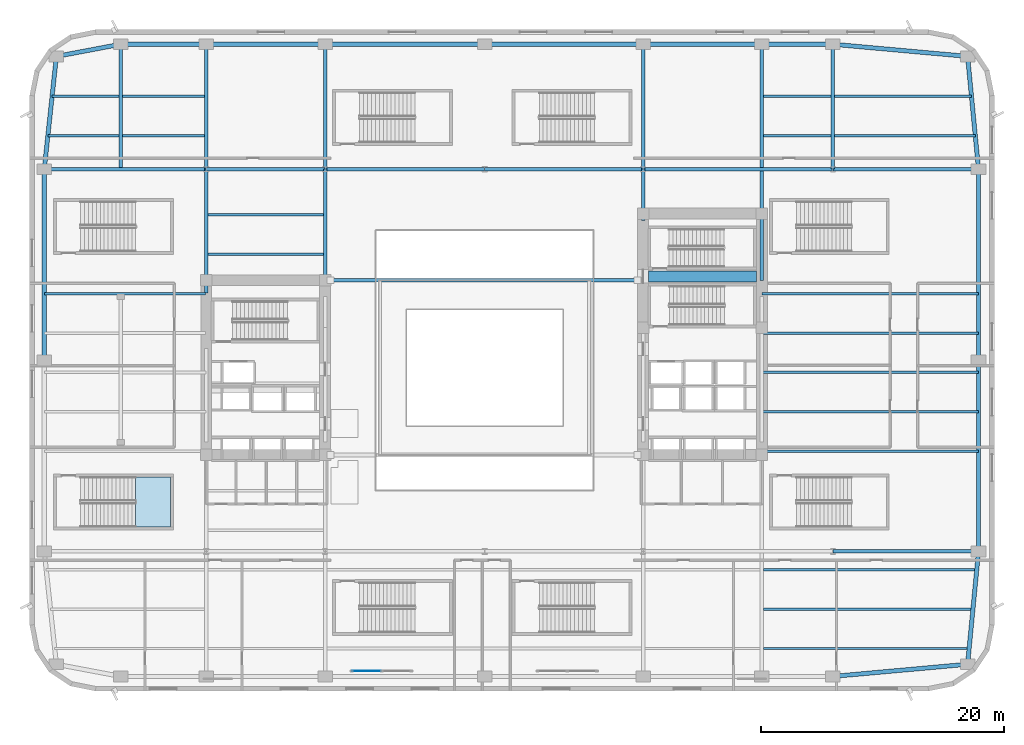
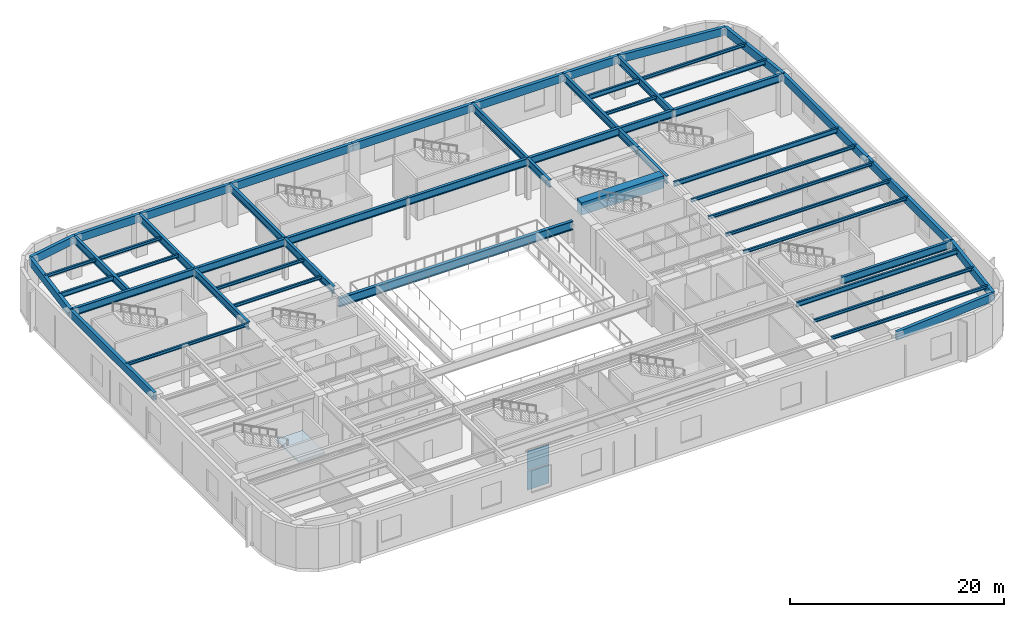
# One storey, part 4 of 22: 54 beams, 2 plates, 1 slab, 2 elements without a shape of their own.
"""IFC4 building model written with IfcOpenShell, lengths in metres."""

from ifc_helpers import new_model, si_unit, direction, frame, origin, origin_2d, place, context, subcontext, project, spatial, polyline, rectangle, hollow_rectangle, i_section, outline, extrude, material, layer, layer_set, material_profile, profile_set, type_object, element, aggregate, save


model = new_model("IFC4")

# Units and contexts
model_context = context("Model", 3, precision=1e-05, world=origin(), true_north=direction((0.0, 1.0)))
body_context = subcontext(model_context, "Body", "Model", "MODEL_VIEW")
ifc_project = project(units=[si_unit("LENGTHUNIT", "METRE"), si_unit("AREAUNIT", "SQUARE_METRE"), si_unit("VOLUMEUNIT", "CUBIC_METRE"), si_unit("PLANEANGLEUNIT", "RADIAN"), si_unit("MASSUNIT", "GRAM", prefix="KILO")], contexts=[model_context])

# Site, building, storey
site_placement = place(None, origin())
site = spatial("IfcSite", under=ifc_project, at=site_placement, CompositionType="ELEMENT")
building_placement = place(site_placement, origin())
building = spatial("IfcBuilding", under=site, at=building_placement, Name="Kolvaren Arena Tower", CompositionType="ELEMENT")
storey_placement = place(building_placement, frame((0.0, 0.0, 13.0)))
storey = spatial("IfcBuildingStorey", under=building, at=storey_placement, Name="L02", CompositionType="ELEMENT", Elevation=13.0)

# Beams
ifc_material_1 = material(Name="Steel CSA G40.21 350W", Category="steel")
ifc_material_profile_1 = material_profile(ifc_material_1, i_section(OverallWidth=0.2119140625, OverallDepth=0.54296875, WebThickness=0.01318359375, FlangeThickness=0.0244140625, FilletRadius=0.013916015625, at=origin_2d()), Name="W530x150")
ifc_profile_set_1 = profile_set([ifc_material_profile_1], Name="Steel CSA G40.21 350W")
beam_type_1 = type_object("IfcBeamType", Name="BEAM-F1", PredefinedType="BEAM", material=ifc_profile_set_1)
beam_1_placement = place(storey_placement, frame((60.49609375, 10.0, 4.37841796875), z_axis=(1.0, 0.0, 0.0), x_axis=(0.0, 1.0, 0.0)))
element("IfcBeam", 1, at=beam_1_placement, inside=storey, type_object=beam_type_1, Name="Composite Floor Beam (L02)", PredefinedType="BEAM", context=body_context, shape_type="SweptSolid", body=[
    extrude(i_section(OverallWidth=0.2119140625, OverallDepth=0.54296875, WebThickness=0.01318359375, FlangeThickness=0.0244140625, FilletRadius=0.013916015625, at=origin_2d()), origin(), (0.0, 0.0, 1.0), 17.55859375),
])
beam_2_placement = place(storey_placement, frame((60.3701171875, 32.75, 4.37841796875), z_axis=(1.0, 0.0, 0.0), x_axis=(0.0, 1.0, 0.0)))
element("IfcBeam", 2, at=beam_2_placement, inside=storey, type_object=beam_type_1, Name="Composite Floor Beam (L02)", PredefinedType="BEAM", context=body_context, shape_type="SweptSolid", body=[
    extrude(i_section(OverallWidth=0.2119140625, OverallDepth=0.54296875, WebThickness=0.01318359375, FlangeThickness=0.0244140625, FilletRadius=0.013916015625, at=origin_2d()), origin(), (0.0, 0.0, 1.0), 17.829833984375),
])
beam_3_placement = place(storey_placement, frame((1.49560546875, 45.75, 4.37841796875), z_axis=(1.0, 0.0, 0.0), x_axis=(0.0, 1.0, 0.0)))
element("IfcBeam", 3, at=beam_3_placement, inside=storey, type_object=beam_type_1, Name="Composite Floor Beam (L02)", PredefinedType="BEAM", context=body_context, shape_type="SweptSolid", body=[
    extrude(i_section(OverallWidth=0.2119140625, OverallDepth=0.54296875, WebThickness=0.01318359375, FlangeThickness=0.0244140625, FilletRadius=0.013916015625, at=origin_2d()), origin(), (0.0, 0.0, 1.0), 5.8583984375),
])
beam_4_placement = place(storey_placement, frame((66.345947265625, 45.75, 4.37841796875), z_axis=(1.0, 0.0, 0.0), x_axis=(0.0, 1.0, 0.0)))
element("IfcBeam", 4, at=beam_4_placement, inside=storey, type_object=beam_type_1, Name="Composite Floor Beam (L02)", PredefinedType="BEAM", context=body_context, shape_type="SweptSolid", body=[
    extrude(i_section(OverallWidth=0.2119140625, OverallDepth=0.54296875, WebThickness=0.01318359375, FlangeThickness=0.0244140625, FilletRadius=0.013916015625, at=origin_2d()), origin(), (0.0, 0.0, 1.0), 11.587890625),
])
beam_5_placement = place(storey_placement, frame((60.49609375, 49.0, 4.37841796875), z_axis=(1.0, 0.0, 0.0), x_axis=(0.0, 1.0, 0.0)))
element("IfcBeam", 5, at=beam_5_placement, inside=storey, type_object=beam_type_1, Name="Composite Floor Beam (L02)", PredefinedType="BEAM", context=body_context, shape_type="SweptSolid", body=[
    extrude(i_section(OverallWidth=0.2119140625, OverallDepth=0.54296875, WebThickness=0.01318359375, FlangeThickness=0.0244140625, FilletRadius=0.013916015625, at=origin_2d()), origin(), (0.0, 0.0, 1.0), 5.557861328125),
])
ifc_material_2 = material(Name="Concrete 75 MPa", Category="concrete")
ifc_material_profile_2 = material_profile(ifc_material_2, rectangle(XDim=0.89990234375, YDim=1.39990234375, at=origin_2d()), Name="RC-900x1400")
ifc_profile_set_2 = profile_set([ifc_material_profile_2], Name="Concrete 75 MPa")
beam_type_2 = type_object("IfcBeamType", Name="CB-CORE-1", PredefinedType="BEAM", material=ifc_profile_set_2)
beam_6_placement = place(storey_placement, frame((51.0, 34.14990234375, 4.219970703125), z_axis=(1.0, 0.0, 0.0), x_axis=(0.0, 1.0, 0.0)))
element("IfcBeam", 6, at=beam_6_placement, inside=storey, type_object=beam_type_2, Name="East Core Coupling Beam (L02)", PredefinedType="BEAM", context=body_context, shape_type="SweptSolid", body=[
    extrude(rectangle(XDim=0.89990234375, YDim=1.39990234375, at=origin_2d()), origin(), (0.0, 0.0, 1.0), 8.89990234375),
])
ifc_material_profile_3 = material_profile(ifc_material_1, i_section(OverallWidth=0.2919921875, OverallDepth=0.85498046875, WebThickness=0.02099609375, FlangeThickness=0.03564453125, FilletRadius=0.01806640625, at=origin_2d()), Name="W840x299")
ifc_profile_set_3 = profile_set([ifc_material_profile_3], Name="Steel CSA G40.21 350W")
beam_type_3 = type_object("IfcBeamType", Name="GIRD-P1", PredefinedType="BEAM", material=ifc_profile_set_3)
beam_7_placement = place(storey_placement, frame((66.199951171875, 11.5, 4.222412109375), z_axis=(1.0, 0.0, 0.0), x_axis=(0.0, 1.0, 0.0)))
element("IfcBeam", 7, at=beam_7_placement, inside=storey, type_object=beam_type_3, Name="Primary Floor Girder (L02)", PredefinedType="BEAM", context=body_context, shape_type="SweptSolid", body=[
    extrude(i_section(OverallWidth=0.2919921875, OverallDepth=0.85498046875, WebThickness=0.02099609375, FlangeThickness=0.03564453125, FilletRadius=0.01806640625, at=origin_2d()), origin(), (0.0, 0.0, 1.0), 12.0),
])
beam_8_placement = place(storey_placement, frame((1.199951171875, 43.0, 4.222412109375), z_axis=(1.0, 0.0, 0.0), x_axis=(0.0, 1.0, 0.0)))
element("IfcBeam", 8, at=beam_8_placement, inside=storey, type_object=beam_type_3, Name="Primary Floor Girder (L02)", PredefinedType="BEAM", context=body_context, shape_type="SweptSolid", body=[
    extrude(i_section(OverallWidth=0.2919921875, OverallDepth=0.85498046875, WebThickness=0.02099609375, FlangeThickness=0.03564453125, FilletRadius=0.01806640625, at=origin_2d()), origin(), (0.0, 0.0, 1.0), 13.35009765625),
])
beam_9_placement = place(storey_placement, frame((14.550048828125, 43.0, 4.222412109375), z_axis=(1.0, 0.0, 0.0), x_axis=(0.0, 1.0, 0.0)))
element("IfcBeam", 9, at=beam_9_placement, inside=storey, type_object=beam_type_3, Name="Primary Floor Girder (L02)", PredefinedType="BEAM", context=body_context, shape_type="SweptSolid", body=[
    extrude(i_section(OverallWidth=0.2919921875, OverallDepth=0.85498046875, WebThickness=0.02099609375, FlangeThickness=0.03564453125, FilletRadius=0.01806640625, at=origin_2d()), origin(), (0.0, 0.0, 1.0), 9.800048828125),
])
beam_10_placement = place(storey_placement, frame((24.35009765625, 43.0, 4.222412109375), z_axis=(1.0, 0.0, 0.0), x_axis=(0.0, 1.0, 0.0)))
element("IfcBeam", 10, at=beam_10_placement, inside=storey, type_object=beam_type_3, Name="Primary Floor Girder (L02)", PredefinedType="BEAM", context=body_context, shape_type="SweptSolid", body=[
    extrude(i_section(OverallWidth=0.2919921875, OverallDepth=0.85498046875, WebThickness=0.02099609375, FlangeThickness=0.03564453125, FilletRadius=0.01806640625, at=origin_2d()), origin(), (0.0, 0.0, 1.0), 13.14990234375),
])
beam_11_placement = place(storey_placement, frame((37.5, 43.0, 4.222412109375), z_axis=(1.0, 0.0, 0.0), x_axis=(0.0, 1.0, 0.0)))
element("IfcBeam", 11, at=beam_11_placement, inside=storey, type_object=beam_type_3, Name="Primary Floor Girder (L02)", PredefinedType="BEAM", context=body_context, shape_type="SweptSolid", body=[
    extrude(i_section(OverallWidth=0.2919921875, OverallDepth=0.85498046875, WebThickness=0.02099609375, FlangeThickness=0.03564453125, FilletRadius=0.01806640625, at=origin_2d()), origin(), (0.0, 0.0, 1.0), 13.050048828125),
])
beam_12_placement = place(storey_placement, frame((50.550048828125, 43.0, 4.222412109375), z_axis=(1.0, 0.0, 0.0), x_axis=(0.0, 1.0, 0.0)))
element("IfcBeam", 12, at=beam_12_placement, inside=storey, type_object=beam_type_3, Name="Primary Floor Girder (L02)", PredefinedType="BEAM", context=body_context, shape_type="SweptSolid", body=[
    extrude(i_section(OverallWidth=0.2919921875, OverallDepth=0.85498046875, WebThickness=0.02099609375, FlangeThickness=0.03564453125, FilletRadius=0.01806640625, at=origin_2d()), origin(), (0.0, 0.0, 1.0), 15.64990234375),
])
beam_13_placement = place(storey_placement, frame((66.199951171875, 43.0, 4.222412109375), z_axis=(1.0, 0.0, 0.0), x_axis=(0.0, 1.0, 0.0)))
element("IfcBeam", 13, at=beam_13_placement, inside=storey, type_object=beam_type_3, Name="Primary Floor Girder (L02)", PredefinedType="BEAM", context=body_context, shape_type="SweptSolid", body=[
    extrude(i_section(OverallWidth=0.2919921875, OverallDepth=0.85498046875, WebThickness=0.02099609375, FlangeThickness=0.03564453125, FilletRadius=0.01806640625, at=origin_2d()), origin(), (0.0, 0.0, 1.0), 12.0),
])
beam_14_placement = place(storey_placement, frame((7.5, 43.14599609375, 4.222412109375), z_axis=(0.0, 1.0, 0.0), x_axis=(-1.0, 0.0, 0.0)))
element("IfcBeam", 14, at=beam_14_placement, inside=storey, type_object=beam_type_3, Name="Primary Floor Girder (L02)", PredefinedType="BEAM", context=body_context, shape_type="SweptSolid", body=[
    extrude(i_section(OverallWidth=0.2919921875, OverallDepth=0.85498046875, WebThickness=0.02099609375, FlangeThickness=0.03564453125, FilletRadius=0.01806640625, at=origin_2d()), origin(), (0.0, 0.0, 1.0), 10.154052734375),
])
beam_15_placement = place(storey_placement, frame((14.550048828125, 32.7900390625, 4.222412109375), z_axis=(0.0, 1.0, 0.0), x_axis=(-1.0, 0.0, 0.0)))
element("IfcBeam", 15, at=beam_15_placement, inside=storey, type_object=beam_type_3, Name="Primary Floor Girder (L02)", PredefinedType="BEAM", context=body_context, shape_type="SweptSolid", body=[
    extrude(i_section(OverallWidth=0.2919921875, OverallDepth=0.85498046875, WebThickness=0.02099609375, FlangeThickness=0.03564453125, FilletRadius=0.01806640625, at=origin_2d()), origin(), (0.0, 0.0, 1.0), 10.2099609375),
])
beam_16_placement = place(storey_placement, frame((14.550048828125, 43.0, 4.222412109375), z_axis=(0.0, 1.0, 0.0), x_axis=(-1.0, 0.0, 0.0)))
element("IfcBeam", 16, at=beam_16_placement, inside=storey, type_object=beam_type_3, Name="Primary Floor Girder (L02)", PredefinedType="BEAM", context=body_context, shape_type="SweptSolid", body=[
    extrude(i_section(OverallWidth=0.2919921875, OverallDepth=0.85498046875, WebThickness=0.02099609375, FlangeThickness=0.03564453125, FilletRadius=0.01806640625, at=origin_2d()), origin(), (0.0, 0.0, 1.0), 10.300048828125),
])
beam_17_placement = place(storey_placement, frame((24.35009765625, 33.85009765625, 4.222412109375), z_axis=(0.0, 1.0, 0.0), x_axis=(-1.0, 0.0, 0.0)))
element("IfcBeam", 17, at=beam_17_placement, inside=storey, type_object=beam_type_3, Name="Primary Floor Girder (L02)", PredefinedType="BEAM", context=body_context, shape_type="SweptSolid", body=[
    extrude(i_section(OverallWidth=0.2919921875, OverallDepth=0.85498046875, WebThickness=0.02099609375, FlangeThickness=0.03564453125, FilletRadius=0.01806640625, at=origin_2d()), origin(), (0.0, 0.0, 1.0), 9.14990234375),
])
beam_18_placement = place(storey_placement, frame((24.35009765625, 43.0, 4.222412109375), z_axis=(0.0, 1.0, 0.0), x_axis=(-1.0, 0.0, 0.0)))
element("IfcBeam", 18, at=beam_18_placement, inside=storey, type_object=beam_type_3, Name="Primary Floor Girder (L02)", PredefinedType="BEAM", context=body_context, shape_type="SweptSolid", body=[
    extrude(i_section(OverallWidth=0.2919921875, OverallDepth=0.85498046875, WebThickness=0.02099609375, FlangeThickness=0.03564453125, FilletRadius=0.01806640625, at=origin_2d()), origin(), (0.0, 0.0, 1.0), 10.300048828125),
])
beam_19_placement = place(storey_placement, frame((50.550048828125, 38.760009765625, 4.222412109375), z_axis=(0.0, 1.0, 0.0), x_axis=(-1.0, 0.0, 0.0)))
element("IfcBeam", 19, at=beam_19_placement, inside=storey, type_object=beam_type_3, Name="Primary Floor Girder (L02)", PredefinedType="BEAM", context=body_context, shape_type="SweptSolid", body=[
    extrude(i_section(OverallWidth=0.2919921875, OverallDepth=0.85498046875, WebThickness=0.02099609375, FlangeThickness=0.03564453125, FilletRadius=0.01806640625, at=origin_2d()), origin(), (0.0, 0.0, 1.0), 4.239990234375),
])
beam_20_placement = place(storey_placement, frame((50.550048828125, 43.0, 4.222412109375), z_axis=(0.0, 1.0, 0.0), x_axis=(-1.0, 0.0, 0.0)))
element("IfcBeam", 20, at=beam_20_placement, inside=storey, type_object=beam_type_3, Name="Primary Floor Girder (L02)", PredefinedType="BEAM", context=body_context, shape_type="SweptSolid", body=[
    extrude(i_section(OverallWidth=0.2919921875, OverallDepth=0.85498046875, WebThickness=0.02099609375, FlangeThickness=0.03564453125, FilletRadius=0.01806640625, at=origin_2d()), origin(), (0.0, 0.0, 1.0), 10.300048828125),
])
beam_21_placement = place(storey_placement, frame((60.35009765625, 33.85009765625, 4.222412109375), z_axis=(0.0, 1.0, 0.0), x_axis=(-1.0, 0.0, 0.0)))
element("IfcBeam", 21, at=beam_21_placement, inside=storey, type_object=beam_type_3, Name="Primary Floor Girder (L02)", PredefinedType="BEAM", context=body_context, shape_type="SweptSolid", body=[
    extrude(i_section(OverallWidth=0.2919921875, OverallDepth=0.85498046875, WebThickness=0.02099609375, FlangeThickness=0.03564453125, FilletRadius=0.01806640625, at=origin_2d()), origin(), (0.0, 0.0, 1.0), 5.5),
])
beam_22_placement = place(storey_placement, frame((60.35009765625, 39.35009765625, 4.222412109375), z_axis=(0.0, 1.0, 0.0), x_axis=(-1.0, 0.0, 0.0)))
element("IfcBeam", 22, at=beam_22_placement, inside=storey, type_object=beam_type_3, Name="Primary Floor Girder (L02)", PredefinedType="BEAM", context=body_context, shape_type="SweptSolid", body=[
    extrude(i_section(OverallWidth=0.2919921875, OverallDepth=0.85498046875, WebThickness=0.02099609375, FlangeThickness=0.03564453125, FilletRadius=0.01806640625, at=origin_2d()), origin(), (0.0, 0.0, 1.0), 3.50390625),
])
beam_23_placement = place(storey_placement, frame((60.35009765625, 43.14599609375, 4.222412109375), z_axis=(0.0, 1.0, 0.0), x_axis=(-1.0, 0.0, 0.0)))
element("IfcBeam", 23, at=beam_23_placement, inside=storey, type_object=beam_type_3, Name="Primary Floor Girder (L02)", PredefinedType="BEAM", context=body_context, shape_type="SweptSolid", body=[
    extrude(i_section(OverallWidth=0.2919921875, OverallDepth=0.85498046875, WebThickness=0.02099609375, FlangeThickness=0.03564453125, FilletRadius=0.01806640625, at=origin_2d()), origin(), (0.0, 0.0, 1.0), 10.154052734375),
])
beam_24_placement = place(storey_placement, frame((66.199951171875, 43.0, 4.222412109375), z_axis=(0.0, 1.0, 0.0), x_axis=(-1.0, 0.0, 0.0)))
element("IfcBeam", 24, at=beam_24_placement, inside=storey, type_object=beam_type_3, Name="Primary Floor Girder (L02)", PredefinedType="BEAM", context=body_context, shape_type="SweptSolid", body=[
    extrude(i_section(OverallWidth=0.2919921875, OverallDepth=0.85498046875, WebThickness=0.02099609375, FlangeThickness=0.03564453125, FilletRadius=0.01806640625, at=origin_2d()), origin(), (0.0, 0.0, 1.0), 10.300048828125),
])
ifc_material_profile_4 = material_profile(ifc_material_1, i_section(OverallWidth=0.202880859375, OverallDepth=0.346923828125, WebThickness=0.0078125, FlangeThickness=0.013427734375, FilletRadius=0.010986328125, at=origin_2d()), Name="W360x64")
ifc_profile_set_4 = profile_set([ifc_material_profile_4], Name="Steel CSA G40.21 350W")
beam_type_4 = type_object("IfcBeamType", Name="JOIST-01", PredefinedType="JOIST", material=ifc_profile_set_4)
beam_25_placement = place(storey_placement, frame((60.49609375, 3.5, 4.4765625), z_axis=(1.0, 0.0, 0.0), x_axis=(0.0, 1.0, 0.0)))
element("IfcBeam", 25, at=beam_25_placement, inside=storey, type_object=beam_type_4, Name="Composite Floor Joist (L02)", PredefinedType="JOIST", context=body_context, shape_type="SweptSolid", body=[
    extrude(i_section(OverallWidth=0.202880859375, OverallDepth=0.346923828125, WebThickness=0.0078125, FlangeThickness=0.013427734375, FilletRadius=0.010986328125, at=origin_2d()), origin(), (0.0, 0.0, 1.0), 16.9296875),
])
beam_26_placement = place(storey_placement, frame((60.49609375, 6.75, 4.4765625), z_axis=(1.0, 0.0, 0.0), x_axis=(0.0, 1.0, 0.0)))
element("IfcBeam", 26, at=beam_26_placement, inside=storey, type_object=beam_type_4, Name="Composite Floor Joist (L02)", PredefinedType="JOIST", context=body_context, shape_type="SweptSolid", body=[
    extrude(i_section(OverallWidth=0.202880859375, OverallDepth=0.346923828125, WebThickness=0.0078125, FlangeThickness=0.013427734375, FilletRadius=0.010986328125, at=origin_2d()), origin(), (0.0, 0.0, 1.0), 17.244140625),
])
for number, where, z_axis, x_axis, name in (
    (27, (60.3701171875, 19.75, 4.4765625), (1.0, 0.0, 0.0), (0.0, 1.0, 0.0), "Composite Floor Joist (L02)"),
    (28, (60.3701171875, 23.0, 4.4765625), (1.0, 0.0, 0.0), (0.0, 1.0, 0.0), "Composite Floor Joist (L02)"),
    (29, (60.3701171875, 26.25, 4.4765625), (1.0, 0.0, 0.0), (0.0, 1.0, 0.0), "Composite Floor Joist (L02)"),
    (30, (60.3701171875, 29.5, 4.4765625), (1.0, 0.0, 0.0), (0.0, 1.0, 0.0), "Composite Floor Joist (L02)"),
):
    element("IfcBeam", number, at=place(storey_placement, frame(where, z_axis=z_axis, x_axis=x_axis)), inside=storey, type_object=beam_type_4, Name=name, PredefinedType="JOIST", context=body_context, shape_type="SweptSolid", body=[
        extrude(i_section(OverallWidth=0.202880859375, OverallDepth=0.346923828125, WebThickness=0.0078125, FlangeThickness=0.013427734375, FilletRadius=0.010986328125, at=origin_2d()), origin(), (0.0, 0.0, 1.0), 17.829833984375),
    ])
beam_27_placement = place(storey_placement, frame((1.199951171875, 32.75, 4.4765625), z_axis=(1.0, 0.0, 0.0), x_axis=(0.0, 1.0, 0.0)))
element("IfcBeam", 31, at=beam_27_placement, inside=storey, type_object=beam_type_4, Name="Composite Floor Joist (L02)", PredefinedType="JOIST", context=body_context, shape_type="SweptSolid", body=[
    extrude(i_section(OverallWidth=0.202880859375, OverallDepth=0.346923828125, WebThickness=0.0078125, FlangeThickness=0.013427734375, FilletRadius=0.010986328125, at=origin_2d()), origin(), (0.0, 0.0, 1.0), 13.280029296875),
])
for number, where, z_axis, x_axis, name in (
    (32, (14.696044921875, 36.0, 4.4765625), (1.0, 0.0, 0.0), (0.0, 1.0, 0.0), "Composite Floor Joist (L02)"),
    (33, (14.696044921875, 39.25, 4.4765625), (1.0, 0.0, 0.0), (0.0, 1.0, 0.0), "Composite Floor Joist (L02)"),
):
    element("IfcBeam", number, at=place(storey_placement, frame(where, z_axis=z_axis, x_axis=x_axis)), inside=storey, type_object=beam_type_4, Name=name, PredefinedType="JOIST", context=body_context, shape_type="SweptSolid", body=[
        extrude(i_section(OverallWidth=0.202880859375, OverallDepth=0.346923828125, WebThickness=0.0078125, FlangeThickness=0.013427734375, FilletRadius=0.010986328125, at=origin_2d()), origin(), (0.0, 0.0, 1.0), 9.508056640625),
    ])
beam_28_placement = place(storey_placement, frame((7.64599609375, 45.75, 4.4765625), z_axis=(1.0, 0.0, 0.0), x_axis=(0.0, 1.0, 0.0)))
element("IfcBeam", 34, at=beam_28_placement, inside=storey, type_object=beam_type_4, Name="Composite Floor Joist (L02)", PredefinedType="JOIST", context=body_context, shape_type="SweptSolid", body=[
    extrude(i_section(OverallWidth=0.202880859375, OverallDepth=0.346923828125, WebThickness=0.0078125, FlangeThickness=0.013427734375, FilletRadius=0.010986328125, at=origin_2d()), origin(), (0.0, 0.0, 1.0), 6.758056640625),
])
beam_29_placement = place(storey_placement, frame((60.49609375, 45.75, 4.4765625), z_axis=(1.0, 0.0, 0.0), x_axis=(0.0, 1.0, 0.0)))
element("IfcBeam", 35, at=beam_29_placement, inside=storey, type_object=beam_type_4, Name="Composite Floor Joist (L02)", PredefinedType="JOIST", context=body_context, shape_type="SweptSolid", body=[
    extrude(i_section(OverallWidth=0.202880859375, OverallDepth=0.346923828125, WebThickness=0.0078125, FlangeThickness=0.013427734375, FilletRadius=0.010986328125, at=origin_2d()), origin(), (0.0, 0.0, 1.0), 5.557861328125),
])
beam_30_placement = place(storey_placement, frame((1.84521484375, 49.0, 4.4765625), z_axis=(1.0, 0.0, 0.0), x_axis=(0.0, 1.0, 0.0)))
element("IfcBeam", 36, at=beam_30_placement, inside=storey, type_object=beam_type_4, Name="Composite Floor Joist (L02)", PredefinedType="JOIST", context=body_context, shape_type="SweptSolid", body=[
    extrude(i_section(OverallWidth=0.202880859375, OverallDepth=0.346923828125, WebThickness=0.0078125, FlangeThickness=0.013427734375, FilletRadius=0.010986328125, at=origin_2d()), origin(), (0.0, 0.0, 1.0), 5.5087890625),
])
beam_31_placement = place(storey_placement, frame((7.64599609375, 49.0, 4.4765625), z_axis=(1.0, 0.0, 0.0), x_axis=(0.0, 1.0, 0.0)))
element("IfcBeam", 37, at=beam_31_placement, inside=storey, type_object=beam_type_4, Name="Composite Floor Joist (L02)", PredefinedType="JOIST", context=body_context, shape_type="SweptSolid", body=[
    extrude(i_section(OverallWidth=0.202880859375, OverallDepth=0.346923828125, WebThickness=0.0078125, FlangeThickness=0.013427734375, FilletRadius=0.010986328125, at=origin_2d()), origin(), (0.0, 0.0, 1.0), 6.758056640625),
])
beam_32_placement = place(storey_placement, frame((66.345947265625, 49.0, 4.4765625), z_axis=(1.0, 0.0, 0.0), x_axis=(0.0, 1.0, 0.0)))
element("IfcBeam", 38, at=beam_32_placement, inside=storey, type_object=beam_type_4, Name="Composite Floor Joist (L02)", PredefinedType="JOIST", context=body_context, shape_type="SweptSolid", body=[
    extrude(i_section(OverallWidth=0.202880859375, OverallDepth=0.346923828125, WebThickness=0.0078125, FlangeThickness=0.013427734375, FilletRadius=0.010986328125, at=origin_2d()), origin(), (0.0, 0.0, 1.0), 11.2734375),
])
ifc_material_profile_5 = material_profile(ifc_material_1, i_section(OverallWidth=0.323974609375, OverallDepth=1.011962890625, WebThickness=0.02685546875, FlangeThickness=0.0458984375, FilletRadius=0.02197265625, at=origin_2d()), Name="W1000x443")
ifc_profile_set_5 = profile_set([ifc_material_profile_5], Name="Steel CSA G40.21 350W")
beam_type_5 = type_object("IfcBeamType", Name="RAKER-01", PredefinedType="USERDEFINED", material=ifc_profile_set_5)
beam_33_placement = place(storey_placement, frame((24.800048828125, 33.85009765625, 2.68408203125), z_axis=(1.0, 0.0, 0.0), x_axis=(0.0, 1.0, 0.0)))
element("IfcBeam", 39, at=beam_33_placement, inside=storey, type_object=beam_type_5, Name="Arena Bowl Raker Girder (L02 N)", ObjectType="RAKER GIRDER", PredefinedType="USERDEFINED", context=body_context, shape_type="SweptSolid", body=[
    extrude(i_section(OverallWidth=0.323974609375, OverallDepth=1.011962890625, WebThickness=0.02685546875, FlangeThickness=0.0458984375, FilletRadius=0.02197265625, at=origin_2d()), origin(), (0.0, 0.0, 1.0), 25.300048828125),
])
ifc_material_3 = material(Name="Steel CSA G40.21 350WT", Category="steel")
ifc_material_profile_6 = material_profile(ifc_material_3, hollow_rectangle(XDim=0.35009765625, YDim=0.89990234375, WallThickness=0.02001953125, at=origin_2d()), Name="HSS 900x350x20")
ifc_profile_set_6 = profile_set([ifc_material_profile_6], Name="Steel CSA G40.21 350WT")
beam_type_6 = type_object("IfcBeamType", Name="SPAND-01", PredefinedType="SPANDREL", material=ifc_profile_set_6)
beam_34_placement = place(storey_placement, frame((66.199951171875, 1.199951171875, 4.199951171875), z_axis=(0.995966494892, 0.089725921855, 0.0), x_axis=(-0.089725921855, 0.995966494892, 0.0)))
element("IfcBeam", 40, at=beam_34_placement, inside=storey, type_object=beam_type_6, Name="Perimeter Spandrel Beam (L02)", PredefinedType="SPANDREL", context=body_context, shape_type="SweptSolid", body=[
    extrude(hollow_rectangle(XDim=0.35009765625, YDim=0.89990234375, WallThickness=0.02001953125, at=origin_2d()), origin(), (0.0, 0.0, 1.0), 11.14501953125),
])
beam_35_placement = place(storey_placement, frame((77.300048828125, 2.199951171875, 4.199951171875), z_axis=(0.09631333899, 0.995351064064, 0.0), x_axis=(-0.995351064064, 0.09631333899, 0.0)))
element("IfcBeam", 41, at=beam_35_placement, inside=storey, type_object=beam_type_6, Name="Perimeter Spandrel Beam (L02)", PredefinedType="SPANDREL", context=body_context, shape_type="SweptSolid", body=[
    extrude(hollow_rectangle(XDim=0.35009765625, YDim=0.89990234375, WallThickness=0.02001953125, at=origin_2d()), origin(), (0.0, 0.0, 1.0), 9.343505859375),
])
for number, where, z_axis, x_axis, name in (
    (42, (78.199951171875, 11.5, 4.199951171875), (0.0, 1.0, 0.0), (-1.0, 0.0, 0.0), "Perimeter Spandrel Beam (L02)"),
    (43, (78.199951171875, 27.25, 4.199951171875), (0.0, 1.0, 0.0), (-1.0, 0.0, 0.0), "Perimeter Spandrel Beam (L02)"),
):
    element("IfcBeam", number, at=place(storey_placement, frame(where, z_axis=z_axis, x_axis=x_axis)), inside=storey, type_object=beam_type_6, Name=name, PredefinedType="SPANDREL", context=body_context, shape_type="SweptSolid", body=[
        extrude(hollow_rectangle(XDim=0.35009765625, YDim=0.89990234375, WallThickness=0.02001953125, at=origin_2d()), origin(), (0.0, 0.0, 1.0), 15.75),
    ])
beam_36_placement = place(storey_placement, frame((78.199951171875, 43.0, 4.199951171875), z_axis=(-0.09631333899, 0.995351064064, 0.0), x_axis=(-0.995351064064, -0.09631333899, 0.0)))
element("IfcBeam", 44, at=beam_36_placement, inside=storey, type_object=beam_type_6, Name="Perimeter Spandrel Beam (L02)", PredefinedType="SPANDREL", context=body_context, shape_type="SweptSolid", body=[
    extrude(hollow_rectangle(XDim=0.35009765625, YDim=0.89990234375, WallThickness=0.02001953125, at=origin_2d()), origin(), (0.0, 0.0, 1.0), 9.343505859375),
])
beam_37_placement = place(storey_placement, frame((77.300048828125, 52.300048828125, 4.199951171875), z_axis=(-0.995966494892, 0.089725921855, 0.0), x_axis=(-0.089725921855, -0.995966494892, 0.0)))
element("IfcBeam", 45, at=beam_37_placement, inside=storey, type_object=beam_type_6, Name="Perimeter Spandrel Beam (L02)", PredefinedType="SPANDREL", context=body_context, shape_type="SweptSolid", body=[
    extrude(hollow_rectangle(XDim=0.35009765625, YDim=0.89990234375, WallThickness=0.02001953125, at=origin_2d()), origin(), (0.0, 0.0, 1.0), 11.14501953125),
])
beam_38_placement = place(storey_placement, frame((66.199951171875, 53.300048828125, 4.199951171875), z_axis=(-1.0, 0.0, 0.0), x_axis=(0.0, -1.0, 0.0)))
element("IfcBeam", 46, at=beam_38_placement, inside=storey, type_object=beam_type_6, Name="Perimeter Spandrel Beam (L02)", PredefinedType="SPANDREL", context=body_context, shape_type="SweptSolid", body=[
    extrude(hollow_rectangle(XDim=0.35009765625, YDim=0.89990234375, WallThickness=0.02001953125, at=origin_2d()), origin(), (0.0, 0.0, 1.0), 5.849853515625),
])
beam_39_placement = place(storey_placement, frame((60.35009765625, 53.300048828125, 4.199951171875), z_axis=(-1.0, 0.0, 0.0), x_axis=(0.0, -1.0, 0.0)))
element("IfcBeam", 47, at=beam_39_placement, inside=storey, type_object=beam_type_6, Name="Perimeter Spandrel Beam (L02)", PredefinedType="SPANDREL", context=body_context, shape_type="SweptSolid", body=[
    extrude(hollow_rectangle(XDim=0.35009765625, YDim=0.89990234375, WallThickness=0.02001953125, at=origin_2d()), origin(), (0.0, 0.0, 1.0), 9.800048828125),
])
beam_40_placement = place(storey_placement, frame((50.550048828125, 53.300048828125, 4.199951171875), z_axis=(-1.0, 0.0, 0.0), x_axis=(0.0, -1.0, 0.0)))
element("IfcBeam", 48, at=beam_40_placement, inside=storey, type_object=beam_type_6, Name="Perimeter Spandrel Beam (L02)", PredefinedType="SPANDREL", context=body_context, shape_type="SweptSolid", body=[
    extrude(hollow_rectangle(XDim=0.35009765625, YDim=0.89990234375, WallThickness=0.02001953125, at=origin_2d()), origin(), (0.0, 0.0, 1.0), 13.050048828125),
])
beam_41_placement = place(storey_placement, frame((37.5, 53.300048828125, 4.199951171875), z_axis=(-1.0, 0.0, 0.0), x_axis=(0.0, -1.0, 0.0)))
element("IfcBeam", 49, at=beam_41_placement, inside=storey, type_object=beam_type_6, Name="Perimeter Spandrel Beam (L02)", PredefinedType="SPANDREL", context=body_context, shape_type="SweptSolid", body=[
    extrude(hollow_rectangle(XDim=0.35009765625, YDim=0.89990234375, WallThickness=0.02001953125, at=origin_2d()), origin(), (0.0, 0.0, 1.0), 13.14990234375),
])
beam_42_placement = place(storey_placement, frame((24.35009765625, 53.300048828125, 4.199951171875), z_axis=(-1.0, 0.0, 0.0), x_axis=(0.0, -1.0, 0.0)))
element("IfcBeam", 50, at=beam_42_placement, inside=storey, type_object=beam_type_6, Name="Perimeter Spandrel Beam (L02)", PredefinedType="SPANDREL", context=body_context, shape_type="SweptSolid", body=[
    extrude(hollow_rectangle(XDim=0.35009765625, YDim=0.89990234375, WallThickness=0.02001953125, at=origin_2d()), origin(), (0.0, 0.0, 1.0), 9.800048828125),
])
beam_43_placement = place(storey_placement, frame((14.550048828125, 53.300048828125, 4.199951171875), z_axis=(-1.0, 0.0, 0.0), x_axis=(0.0, -1.0, 0.0)))
element("IfcBeam", 51, at=beam_43_placement, inside=storey, type_object=beam_type_6, Name="Perimeter Spandrel Beam (L02)", PredefinedType="SPANDREL", context=body_context, shape_type="SweptSolid", body=[
    extrude(hollow_rectangle(XDim=0.35009765625, YDim=0.89990234375, WallThickness=0.02001953125, at=origin_2d()), origin(), (0.0, 0.0, 1.0), 7.050048828125),
])
beam_44_placement = place(storey_placement, frame((7.5, 53.300048828125, 4.199951171875), z_axis=(-0.982661964955, -0.185406209796, 0.0), x_axis=(0.185406209796, -0.982661964955, 0.0)))
element("IfcBeam", 52, at=beam_44_placement, inside=storey, type_object=beam_type_6, Name="Perimeter Spandrel Beam (L02)", PredefinedType="SPANDREL", context=body_context, shape_type="SweptSolid", body=[
    extrude(hollow_rectangle(XDim=0.35009765625, YDim=0.89990234375, WallThickness=0.02001953125, at=origin_2d()), origin(), (0.0, 0.0, 1.0), 5.3935546875),
])
beam_45_placement = place(storey_placement, frame((2.199951171875, 52.300048828125, 4.199951171875), z_axis=(-0.106910051219, -0.994268696555, 0.0), x_axis=(0.994268696555, -0.106910051219, 0.0)))
element("IfcBeam", 53, at=beam_45_placement, inside=storey, type_object=beam_type_6, Name="Perimeter Spandrel Beam (L02)", PredefinedType="SPANDREL", context=body_context, shape_type="SweptSolid", body=[
    extrude(hollow_rectangle(XDim=0.35009765625, YDim=0.89990234375, WallThickness=0.02001953125, at=origin_2d()), origin(), (0.0, 0.0, 1.0), 9.353759765625),
])
beam_46_placement = place(storey_placement, frame((1.199951171875, 43.0, 4.199951171875), z_axis=(0.0, -1.0, 0.0), x_axis=(1.0, 0.0, 0.0)))
element("IfcBeam", 54, at=beam_46_placement, inside=storey, type_object=beam_type_6, Name="Perimeter Spandrel Beam (L02)", PredefinedType="SPANDREL", context=body_context, shape_type="SweptSolid", body=[
    extrude(hollow_rectangle(XDim=0.35009765625, YDim=0.89990234375, WallThickness=0.02001953125, at=origin_2d()), origin(), (0.0, 0.0, 1.0), 15.75),
])

# Curtain wall, plates
ifc_material_4 = material(Name="Anodised aluminium unitised curtain wall", Category="aluminium")
curtain_wall_type = type_object("IfcCurtainWallType", Name="CW-SYS-02", PredefinedType="USERDEFINED", material=ifc_material_4)
curtain_wall_placement = place(storey_placement, origin())
curtain_wall = element("IfcCurtainWall", 55, at=curtain_wall_placement, inside=storey, type_object=curtain_wall_type, Name="Arena Concourse Grand Portal Curtain Wall (L02)", ObjectType="UNITISED CURTAIN WALL", PredefinedType="USERDEFINED")
ifc_material_5 = material(Name="Laminated acoustic low-E glazing unit", Category="glass")
ifc_layer_1 = layer(ifc_material_5, 0.052001953125)
ifc_layer_set_1 = layer_set([ifc_layer_1], Name="Laminated acoustic low-E glazing unit")
plate_type = type_object("IfcPlateType", Name="CWP-VIS2", PredefinedType="CURTAIN_PANEL", material=ifc_layer_set_1)
plate_1_placement = place(storey_placement, frame((27.77490234375, 1.64990234375, 0.10009765625), z_axis=(0.0, 0.0, 1.0), x_axis=(1.0, 0.0, 0.0)))
plate_1 = element("IfcPlate", 56, at=plate_1_placement, type_object=plate_type, Name="CW2 panel 1.1", PredefinedType="CURTAIN_PANEL", context=body_context, shape_type="SweptSolid", body=[
    extrude(rectangle(XDim=2.35009765625, YDim=0.052001953125, at=origin_2d()), origin(), (0.0, 0.0, 1.0), 2.175048828125),
])
plate_2_placement = place(storey_placement, frame((27.77490234375, 1.64990234375, 2.375), z_axis=(0.0, 0.0, 1.0), x_axis=(1.0, 0.0, 0.0)))
plate_2 = element("IfcPlate", 57, at=plate_2_placement, type_object=plate_type, Name="CW2 panel 1.2", PredefinedType="CURTAIN_PANEL", context=body_context, shape_type="SweptSolid", body=[
    extrude(rectangle(XDim=2.35009765625, YDim=0.052001953125, at=origin_2d()), origin(), (0.0, 0.0, 1.0), 2.175048828125),
])
aggregate(curtain_wall, [plate_1, plate_2])

# Stair, slab
ifc_material_6 = material(Name="Concrete 45 MPa", Category="concrete")
stair_type = type_object("IfcStairType", Name="STAIR-ARENA-220", PredefinedType="HALF_TURN_STAIR", material=ifc_material_6)
stair_placement = place(storey_placement, origin())
stair = element("IfcStair", 58, at=stair_placement, inside=storey, type_object=stair_type, Name="L02 ST-A1", PredefinedType="HALF_TURN_STAIR")
ifc_layer_2 = layer(ifc_material_6, 0.199951171875)
ifc_layer_set_2 = layer_set([ifc_layer_2], Name="Concrete 45 MPa")
slab_type = type_object("IfcSlabType", Name="SLAB-LAND", PredefinedType="LANDING", material=ifc_layer_set_2)
slab_placement = place(storey_placement, frame((0.0, 0.0, 2.300048828125)))
slab = element("IfcSlab", 59, at=slab_placement, type_object=slab_type, Name="ST-A1 landing 1", PredefinedType="LANDING", context=body_context, shape_type="SweptSolid", body=[
    extrude(outline(polyline([(8.736083984375, 13.5), (11.60009765625, 13.5), (11.60009765625, 17.64990234375), (8.736083984375, 17.64990234375), (8.736083984375, 13.5)])), origin(), (0.0, 0.0, 1.0), 0.199951171875),
])
aggregate(stair, [slab])

save(model, "model.ifc")
